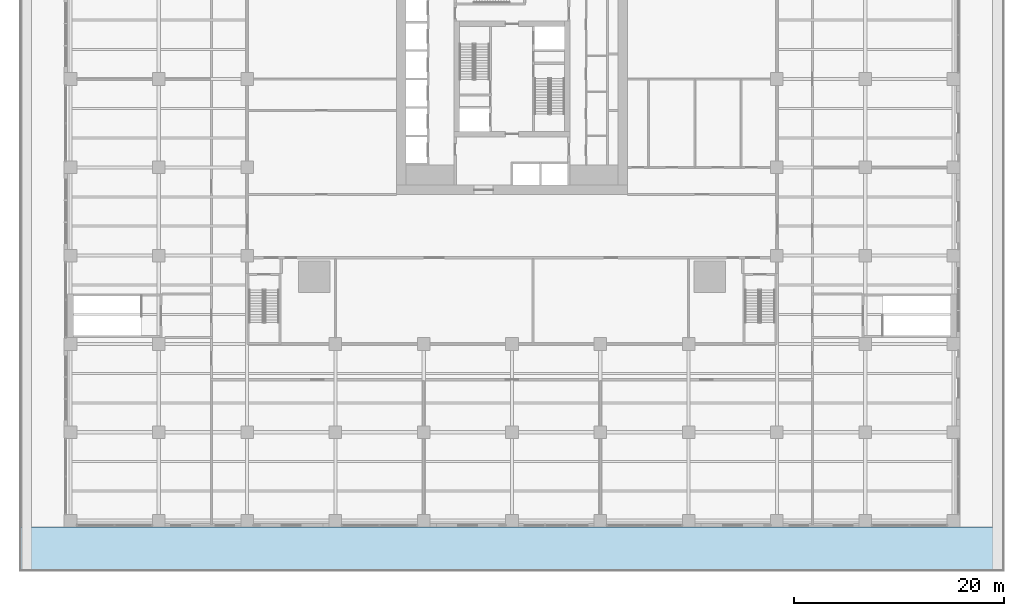
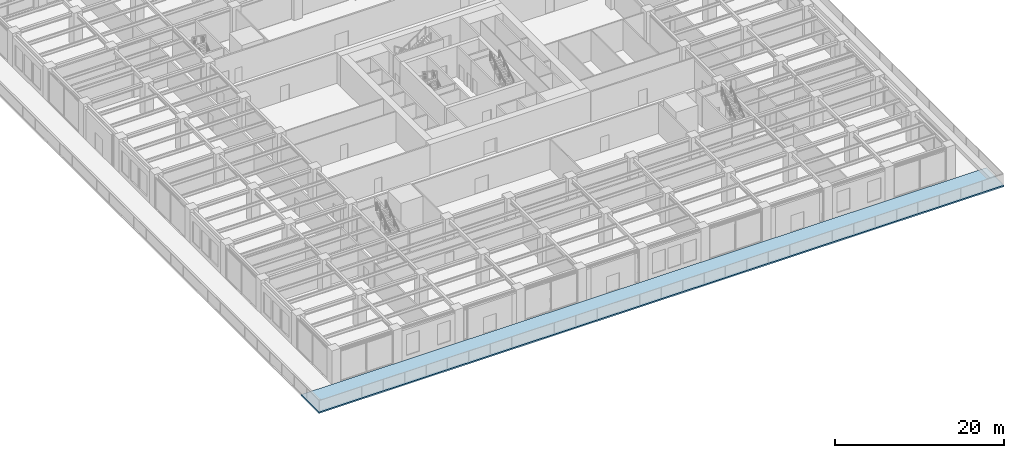
# One storey, part 23 of 53: 1 slab.
"""IFC4 building model written with IfcOpenShell, lengths in metres."""

from ifc_helpers import new_model, si_unit, direction, frame, origin, place, context, subcontext, project, spatial, polyline, outline, extrude, material, layer, layer_set, type_object, element, save


model = new_model("IFC4")

# Units and contexts
model_context = context("Model", 3, precision=1e-05, world=origin(), true_north=direction((0.0, 1.0)))
body_context = subcontext(model_context, "Body", "Model", "MODEL_VIEW")
ifc_project = project(units=[si_unit("LENGTHUNIT", "METRE"), si_unit("AREAUNIT", "SQUARE_METRE"), si_unit("VOLUMEUNIT", "CUBIC_METRE"), si_unit("PLANEANGLEUNIT", "RADIAN"), si_unit("MASSUNIT", "GRAM", prefix="KILO")], contexts=[model_context])

# Site, building, storey
site_placement = place(None, origin())
site = spatial("IfcSite", under=ifc_project, at=site_placement, CompositionType="ELEMENT")
building_placement = place(site_placement, origin())
building = spatial("IfcBuilding", under=site, at=building_placement, Name="Khepri Terraces", CompositionType="ELEMENT")
storey_placement = place(building_placement, frame((0.0, 0.0, 7.199951171875)))
storey = spatial("IfcBuildingStorey", under=building, at=storey_placement, Name="L01", CompositionType="ELEMENT", Elevation=7.199951171875)

# Slab
ifc_material = material(Name="Concrete C35/45", Category="concrete")
ifc_layer = layer(ifc_material, 0.199951171875, Name="Concrete C35/45", Category="concrete")
ifc_layer_set = layer_set([ifc_layer], Name="Concrete C35/45")
slab_type = type_object("IfcSlabType", Name="Composite terrace slab 200", PredefinedType="ROOF", material=ifc_layer_set)
slab_placement = place(storey_placement, frame((0.0, 0.0, -0.199951171875)))
element("IfcSlab", 1, at=slab_placement, inside=storey, type_object=slab_type, Name="Terrace slab L01-podium-0", PredefinedType="ROOF", context=body_context, shape_type="SweptSolid", body=[
    extrude(outline(polyline([(46.800048828125, -46.800048828125), (-46.800048828125, -46.800048828125), (-46.800048828125, -42.60009765625), (-42.60009765625, -42.60009765625), (42.60009765625, -42.60009765625), (46.800048828125, -42.60009765625), (46.800048828125, -46.800048828125)])), origin(), (0.0, 0.0, 1.0), 0.199951171875),
])

save(model, "model.ifc")
